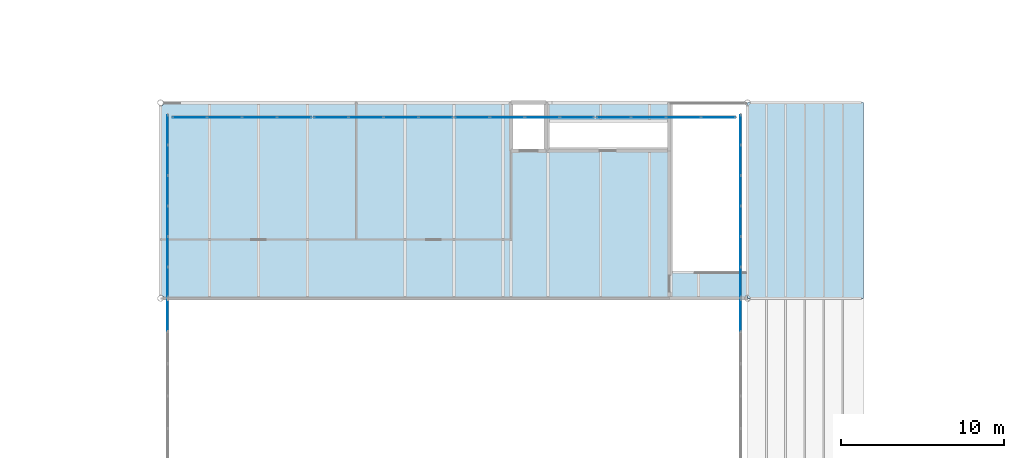
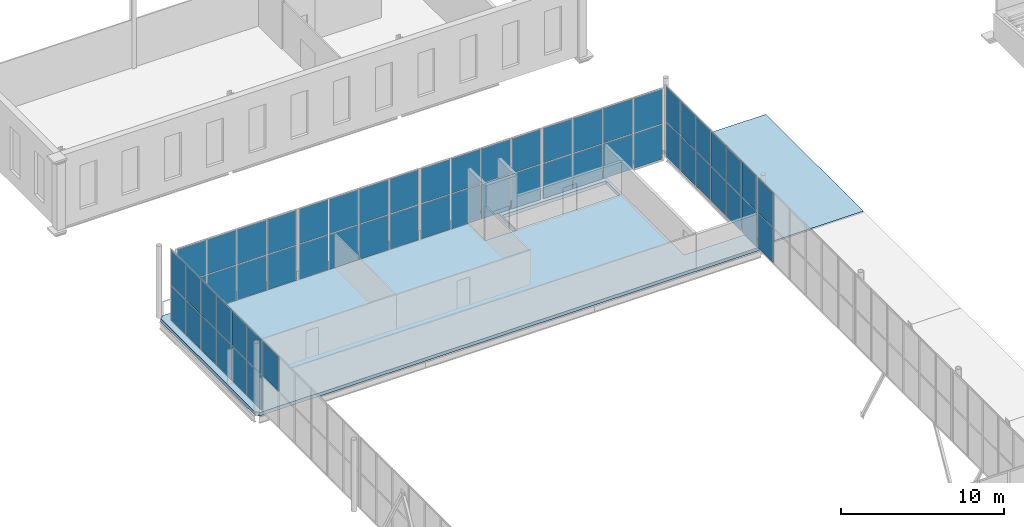
# One storey, part 100 of 170: 59 plates, 2 slabs, 8 elements without a shape of their own.
"""IFC4 building model written with IfcOpenShell, lengths in metres."""

from ifc_helpers import new_model, si_unit, direction, frame, origin, origin_2d, place, context, subcontext, project, spatial, polyline, rectangle, outline, extrude, material, layer, layer_set, type_object, element, aggregate, save


model = new_model("IFC4")

# Units and contexts
model_context = context("Model", 3, precision=1e-05, world=origin(), true_north=direction((0.0, 1.0)))
body_context = subcontext(model_context, "Body", "Model", "MODEL_VIEW")
ifc_project = project(units=[si_unit("LENGTHUNIT", "METRE"), si_unit("AREAUNIT", "SQUARE_METRE"), si_unit("VOLUMEUNIT", "CUBIC_METRE"), si_unit("PLANEANGLEUNIT", "RADIAN"), si_unit("MASSUNIT", "GRAM", prefix="KILO")], contexts=[model_context])

# Site, building, storey
site_placement = place(None, origin())
site = spatial("IfcSite", under=ifc_project, at=site_placement, CompositionType="ELEMENT")
building_placement = place(site_placement, origin())
building = spatial("IfcBuilding", under=site, at=building_placement, Name="Ravi Spectrum Wholesale Market", CompositionType="ELEMENT")
storey_placement = place(building_placement, frame((0.0, 0.0, 5.39990234375)))
storey = spatial("IfcBuildingStorey", under=building, at=storey_placement, Name="L01", CompositionType="ELEMENT", Elevation=5.39990234375)

# Slab
ifc_material_1 = material(Name="Concrete C35/45", Category="concrete")
ifc_layer_1 = layer(ifc_material_1, 0.25)
ifc_layer_set_1 = layer_set([ifc_layer_1], Name="Concrete C35/45")
slab_type_1 = type_object("IfcSlabType", Name="Composite deck slab 250", PredefinedType="FLOOR", material=ifc_layer_set_1)
slab_1_placement = place(storey_placement, frame((0.0, 0.0, -0.25)))
element("IfcSlab", 1, at=slab_1_placement, inside=storey, type_object=slab_type_1, Name="H3-SL-L01-001", PredefinedType="FLOOR", context=body_context, shape_type="SweptSolid", body=[
    extrude(outline(polyline([(162.187744140625, 174.0), (162.18701171875, 174.018310546875), (162.18408203125, 174.03662109375), (162.1796875, 174.054443359375), (162.173583984375, 174.07177734375), (162.16552734375, 174.088623046875), (162.15625, 174.104248046875), (162.145263671875, 174.119140625), (162.1328125, 174.1328125), (162.119140625, 174.145263671875), (162.104248046875, 174.15625), (162.088623046875, 174.16552734375), (162.07177734375, 174.173583984375), (162.054443359375, 174.1796875), (162.03662109375, 174.18408203125), (162.018310546875, 174.18701171875), (162.0, 174.187744140625), (162.0, 185.812255859375), (162.018310546875, 185.81298828125), (162.03662109375, 185.81591796875), (162.054443359375, 185.8203125), (162.07177734375, 185.826416015625), (162.088623046875, 185.83447265625), (162.104248046875, 185.84375), (162.119140625, 185.854736328125), (162.1328125, 185.8671875), (162.145263671875, 185.880859375), (162.15625, 185.895751953125), (162.16552734375, 185.911376953125), (162.173583984375, 185.92822265625), (162.1796875, 185.945556640625), (162.18408203125, 185.96337890625), (162.18701171875, 185.981689453125), (162.187744140625, 186.0), (197.812255859375, 186.0), (197.81298828125, 185.981689453125), (197.81591796875, 185.96337890625), (197.8203125, 185.945556640625), (197.826416015625, 185.92822265625), (197.83447265625, 185.911376953125), (197.84130859375, 185.89990234375), (193.300048828125, 185.89990234375), (193.300048828125, 175.60498046875), (197.89990234375, 175.60498046875), (197.89990234375, 185.84130859375), (197.911376953125, 185.83447265625), (197.92822265625, 185.826416015625), (197.945556640625, 185.8203125), (197.96337890625, 185.81591796875), (197.981689453125, 185.81298828125), (198.0, 185.812255859375), (198.0, 174.187744140625), (197.981689453125, 174.18701171875), (197.96337890625, 174.18408203125), (197.945556640625, 174.1796875), (197.92822265625, 174.173583984375), (197.911376953125, 174.16552734375), (197.895751953125, 174.15625), (197.880859375, 174.145263671875), (197.8671875, 174.1328125), (197.854736328125, 174.119140625), (197.84375, 174.104248046875), (197.83447265625, 174.088623046875), (197.826416015625, 174.07177734375), (197.8203125, 174.054443359375), (197.81591796875, 174.03662109375), (197.81298828125, 174.018310546875), (197.812255859375, 174.0), (162.187744140625, 174.0)]), holes=[polyline([(193.10009765625, 184.8701171875), (185.75, 184.8701171875), (185.75, 183.14990234375), (193.10009765625, 183.14990234375), (193.10009765625, 184.8701171875)]), polyline([(185.64990234375, 185.9990234375), (183.5, 185.9990234375), (183.5, 183.050048828125), (185.64990234375, 183.050048828125), (185.64990234375, 185.9990234375)])]), origin(), (0.0, 0.0, 1.0), 0.25),
])

# Curtain wall, plate
ifc_material_2 = material(Name="Aluminium 6063-T6", Category="aluminium")
ifc_layer_2 = layer(ifc_material_2, 0.14990234375)
ifc_layer_set_2 = layer_set([ifc_layer_2], Name="Aluminium 6063-T6")
curtain_wall_type = type_object("IfcCurtainWallType", Name="Curtain wall 150", PredefinedType="NOTDEFINED", material=ifc_layer_set_2)
curtain_wall_1_placement = place(storey_placement, origin())
curtain_wall_1 = element("IfcCurtainWall", 2, at=curtain_wall_1_placement, inside=storey, type_object=curtain_wall_type, Name="H3-CW-L01-003", PredefinedType="NOTDEFINED")
ifc_material_3 = material(Name="Toughened glass", Category="glass")
ifc_layer_3 = layer(ifc_material_3, 0.028076171875)
ifc_layer_set_3 = layer_set([ifc_layer_3], Name="Toughened glass")
plate_type = type_object("IfcPlateType", Name="Glazing panel 28", PredefinedType="CURTAIN_PANEL", material=ifc_layer_set_3)
plate_1_placement = place(storey_placement, frame((162.427734375, 172.95166015625, 2.72998046875), z_axis=(0.0, 0.0, 1.0), x_axis=(0.0, 1.0, 0.0)))
plate_1 = element("IfcPlate", 3, at=plate_1_placement, type_object=plate_type, Name="H3-CW-L01-003 panel 6.2", PredefinedType="CURTAIN_PANEL", context=body_context, shape_type="SweptSolid", body=[
    extrude(rectangle(XDim=1.896728515625, YDim=0.028076171875, at=origin_2d()), origin(), (0.0, 0.0, 1.0), 2.610107421875),
])
aggregate(curtain_wall_1, [plate_1])

# Curtain wall, plates
curtain_wall_2_placement = place(storey_placement, origin())
curtain_wall_2 = element("IfcCurtainWall", 4, at=curtain_wall_2_placement, inside=storey, type_object=curtain_wall_type, Name="H3-CW-L01-004", PredefinedType="NOTDEFINED")
plate_2_placement = place(storey_placement, frame((162.427734375, 174.992431640625, 0.06005859375), z_axis=(0.0, 0.0, 1.0), x_axis=(0.0, 1.0, 0.0)))
plate_2 = element("IfcPlate", 5, at=plate_2_placement, type_object=plate_type, Name="H3-CW-L01-004 panel 1.1", PredefinedType="CURTAIN_PANEL", context=body_context, shape_type="SweptSolid", body=[
    extrude(rectangle(XDim=1.784912109375, YDim=0.028076171875, at=origin_2d()), origin(), (0.0, 0.0, 1.0), 2.610107421875),
])
plate_3_placement = place(storey_placement, frame((162.427734375, 174.992431640625, 2.72998046875), z_axis=(0.0, 0.0, 1.0), x_axis=(0.0, 1.0, 0.0)))
plate_3 = element("IfcPlate", 6, at=plate_3_placement, type_object=plate_type, Name="H3-CW-L01-004 panel 1.2", PredefinedType="CURTAIN_PANEL", context=body_context, shape_type="SweptSolid", body=[
    extrude(rectangle(XDim=1.784912109375, YDim=0.028076171875, at=origin_2d()), origin(), (0.0, 0.0, 1.0), 2.610107421875),
])
plate_4_placement = place(storey_placement, frame((162.427734375, 176.8525390625, 0.06005859375), z_axis=(0.0, 0.0, 1.0), x_axis=(0.0, 1.0, 0.0)))
plate_4 = element("IfcPlate", 7, at=plate_4_placement, type_object=plate_type, Name="H3-CW-L01-004 panel 2.1", PredefinedType="CURTAIN_PANEL", context=body_context, shape_type="SweptSolid", body=[
    extrude(rectangle(XDim=1.81494140625, YDim=0.028076171875, at=origin_2d()), origin(), (0.0, 0.0, 1.0), 2.610107421875),
])
plate_5_placement = place(storey_placement, frame((162.427734375, 176.8525390625, 2.72998046875), z_axis=(0.0, 0.0, 1.0), x_axis=(0.0, 1.0, 0.0)))
plate_5 = element("IfcPlate", 8, at=plate_5_placement, type_object=plate_type, Name="H3-CW-L01-004 panel 2.2", PredefinedType="CURTAIN_PANEL", context=body_context, shape_type="SweptSolid", body=[
    extrude(rectangle(XDim=1.81494140625, YDim=0.028076171875, at=origin_2d()), origin(), (0.0, 0.0, 1.0), 2.610107421875),
])
plate_6_placement = place(storey_placement, frame((162.427734375, 178.7275390625, 0.06005859375), z_axis=(0.0, 0.0, 1.0), x_axis=(0.0, 1.0, 0.0)))
plate_6 = element("IfcPlate", 9, at=plate_6_placement, type_object=plate_type, Name="H3-CW-L01-004 panel 3.1", PredefinedType="CURTAIN_PANEL", context=body_context, shape_type="SweptSolid", body=[
    extrude(rectangle(XDim=1.81494140625, YDim=0.028076171875, at=origin_2d()), origin(), (0.0, 0.0, 1.0), 2.610107421875),
])
plate_7_placement = place(storey_placement, frame((162.427734375, 178.7275390625, 2.72998046875), z_axis=(0.0, 0.0, 1.0), x_axis=(0.0, 1.0, 0.0)))
plate_7 = element("IfcPlate", 10, at=plate_7_placement, type_object=plate_type, Name="H3-CW-L01-004 panel 3.2", PredefinedType="CURTAIN_PANEL", context=body_context, shape_type="SweptSolid", body=[
    extrude(rectangle(XDim=1.81494140625, YDim=0.028076171875, at=origin_2d()), origin(), (0.0, 0.0, 1.0), 2.610107421875),
])
plate_8_placement = place(storey_placement, frame((162.427734375, 180.6025390625, 0.06005859375), z_axis=(0.0, 0.0, 1.0), x_axis=(0.0, 1.0, 0.0)))
plate_8 = element("IfcPlate", 11, at=plate_8_placement, type_object=plate_type, Name="H3-CW-L01-004 panel 4.1", PredefinedType="CURTAIN_PANEL", context=body_context, shape_type="SweptSolid", body=[
    extrude(rectangle(XDim=1.81494140625, YDim=0.028076171875, at=origin_2d()), origin(), (0.0, 0.0, 1.0), 2.610107421875),
])
plate_9_placement = place(storey_placement, frame((162.427734375, 180.6025390625, 2.72998046875), z_axis=(0.0, 0.0, 1.0), x_axis=(0.0, 1.0, 0.0)))
plate_9 = element("IfcPlate", 12, at=plate_9_placement, type_object=plate_type, Name="H3-CW-L01-004 panel 4.2", PredefinedType="CURTAIN_PANEL", context=body_context, shape_type="SweptSolid", body=[
    extrude(rectangle(XDim=1.81494140625, YDim=0.028076171875, at=origin_2d()), origin(), (0.0, 0.0, 1.0), 2.610107421875),
])
plate_10_placement = place(storey_placement, frame((162.427734375, 182.4775390625, 0.06005859375), z_axis=(0.0, 0.0, 1.0), x_axis=(0.0, 1.0, 0.0)))
plate_10 = element("IfcPlate", 13, at=plate_10_placement, type_object=plate_type, Name="H3-CW-L01-004 panel 5.1", PredefinedType="CURTAIN_PANEL", context=body_context, shape_type="SweptSolid", body=[
    extrude(rectangle(XDim=1.81494140625, YDim=0.028076171875, at=origin_2d()), origin(), (0.0, 0.0, 1.0), 2.610107421875),
])
plate_11_placement = place(storey_placement, frame((162.427734375, 182.4775390625, 2.72998046875), z_axis=(0.0, 0.0, 1.0), x_axis=(0.0, 1.0, 0.0)))
plate_11 = element("IfcPlate", 14, at=plate_11_placement, type_object=plate_type, Name="H3-CW-L01-004 panel 5.2", PredefinedType="CURTAIN_PANEL", context=body_context, shape_type="SweptSolid", body=[
    extrude(rectangle(XDim=1.81494140625, YDim=0.028076171875, at=origin_2d()), origin(), (0.0, 0.0, 1.0), 2.610107421875),
])
plate_12_placement = place(storey_placement, frame((162.427734375, 184.33740234375, 0.06005859375), z_axis=(0.0, 0.0, 1.0), x_axis=(0.0, 1.0, 0.0)))
plate_12 = element("IfcPlate", 15, at=plate_12_placement, type_object=plate_type, Name="H3-CW-L01-004 panel 6.1", PredefinedType="CURTAIN_PANEL", context=body_context, shape_type="SweptSolid", body=[
    extrude(rectangle(XDim=1.784912109375, YDim=0.028076171875, at=origin_2d()), origin(), (0.0, 0.0, 1.0), 2.610107421875),
])
plate_13_placement = place(storey_placement, frame((162.427734375, 184.33740234375, 2.72998046875), z_axis=(0.0, 0.0, 1.0), x_axis=(0.0, 1.0, 0.0)))
plate_13 = element("IfcPlate", 16, at=plate_13_placement, type_object=plate_type, Name="H3-CW-L01-004 panel 6.2", PredefinedType="CURTAIN_PANEL", context=body_context, shape_type="SweptSolid", body=[
    extrude(rectangle(XDim=1.784912109375, YDim=0.028076171875, at=origin_2d()), origin(), (0.0, 0.0, 1.0), 2.610107421875),
])
aggregate(curtain_wall_2, [plate_2, plate_3, plate_4, plate_5, plate_6, plate_7, plate_8, plate_9, plate_10, plate_11, plate_12, plate_13])

curtain_wall_3_placement = place(storey_placement, origin())
curtain_wall_3 = element("IfcCurtainWall", 17, at=curtain_wall_3_placement, inside=storey, type_object=curtain_wall_type, Name="H3-CW-L01-007", PredefinedType="NOTDEFINED")
plate_14_placement = place(storey_placement, frame((197.572265625, 172.95166015625, 0.06005859375), z_axis=(0.0, 0.0, 1.0), x_axis=(0.0, 1.0, 0.0)))
plate_14 = element("IfcPlate", 18, at=plate_14_placement, type_object=plate_type, Name="H3-CW-L01-007 panel 6.1", PredefinedType="CURTAIN_PANEL", context=body_context, shape_type="SweptSolid", body=[
    extrude(rectangle(XDim=1.896728515625, YDim=0.028076171875, at=origin_2d()), origin(), (0.0, 0.0, 1.0), 2.610107421875),
])
plate_15_placement = place(storey_placement, frame((197.572265625, 172.95166015625, 2.72998046875), z_axis=(0.0, 0.0, 1.0), x_axis=(0.0, 1.0, 0.0)))
plate_15 = element("IfcPlate", 19, at=plate_15_placement, type_object=plate_type, Name="H3-CW-L01-007 panel 6.2", PredefinedType="CURTAIN_PANEL", context=body_context, shape_type="SweptSolid", body=[
    extrude(rectangle(XDim=1.896728515625, YDim=0.028076171875, at=origin_2d()), origin(), (0.0, 0.0, 1.0), 2.610107421875),
])
aggregate(curtain_wall_3, [plate_14, plate_15])

curtain_wall_4_placement = place(storey_placement, origin())
curtain_wall_4 = element("IfcCurtainWall", 20, at=curtain_wall_4_placement, inside=storey, type_object=curtain_wall_type, Name="H3-CW-L01-008", PredefinedType="NOTDEFINED")
plate_16_placement = place(storey_placement, frame((197.572265625, 174.992431640625, 0.06005859375), z_axis=(0.0, 0.0, 1.0), x_axis=(0.0, 1.0, 0.0)))
plate_16 = element("IfcPlate", 21, at=plate_16_placement, type_object=plate_type, Name="H3-CW-L01-008 panel 1.1", PredefinedType="CURTAIN_PANEL", context=body_context, shape_type="SweptSolid", body=[
    extrude(rectangle(XDim=1.784912109375, YDim=0.028076171875, at=origin_2d()), origin(), (0.0, 0.0, 1.0), 2.610107421875),
])
plate_17_placement = place(storey_placement, frame((197.572265625, 174.992431640625, 2.72998046875), z_axis=(0.0, 0.0, 1.0), x_axis=(0.0, 1.0, 0.0)))
plate_17 = element("IfcPlate", 22, at=plate_17_placement, type_object=plate_type, Name="H3-CW-L01-008 panel 1.2", PredefinedType="CURTAIN_PANEL", context=body_context, shape_type="SweptSolid", body=[
    extrude(rectangle(XDim=1.784912109375, YDim=0.028076171875, at=origin_2d()), origin(), (0.0, 0.0, 1.0), 2.610107421875),
])
plate_18_placement = place(storey_placement, frame((197.572265625, 176.8525390625, 0.06005859375), z_axis=(0.0, 0.0, 1.0), x_axis=(0.0, 1.0, 0.0)))
plate_18 = element("IfcPlate", 23, at=plate_18_placement, type_object=plate_type, Name="H3-CW-L01-008 panel 2.1", PredefinedType="CURTAIN_PANEL", context=body_context, shape_type="SweptSolid", body=[
    extrude(rectangle(XDim=1.81494140625, YDim=0.028076171875, at=origin_2d()), origin(), (0.0, 0.0, 1.0), 2.610107421875),
])
plate_19_placement = place(storey_placement, frame((197.572265625, 176.8525390625, 2.72998046875), z_axis=(0.0, 0.0, 1.0), x_axis=(0.0, 1.0, 0.0)))
plate_19 = element("IfcPlate", 24, at=plate_19_placement, type_object=plate_type, Name="H3-CW-L01-008 panel 2.2", PredefinedType="CURTAIN_PANEL", context=body_context, shape_type="SweptSolid", body=[
    extrude(rectangle(XDim=1.81494140625, YDim=0.028076171875, at=origin_2d()), origin(), (0.0, 0.0, 1.0), 2.610107421875),
])
plate_20_placement = place(storey_placement, frame((197.572265625, 178.7275390625, 0.06005859375), z_axis=(0.0, 0.0, 1.0), x_axis=(0.0, 1.0, 0.0)))
plate_20 = element("IfcPlate", 25, at=plate_20_placement, type_object=plate_type, Name="H3-CW-L01-008 panel 3.1", PredefinedType="CURTAIN_PANEL", context=body_context, shape_type="SweptSolid", body=[
    extrude(rectangle(XDim=1.81494140625, YDim=0.028076171875, at=origin_2d()), origin(), (0.0, 0.0, 1.0), 2.610107421875),
])
plate_21_placement = place(storey_placement, frame((197.572265625, 178.7275390625, 2.72998046875), z_axis=(0.0, 0.0, 1.0), x_axis=(0.0, 1.0, 0.0)))
plate_21 = element("IfcPlate", 26, at=plate_21_placement, type_object=plate_type, Name="H3-CW-L01-008 panel 3.2", PredefinedType="CURTAIN_PANEL", context=body_context, shape_type="SweptSolid", body=[
    extrude(rectangle(XDim=1.81494140625, YDim=0.028076171875, at=origin_2d()), origin(), (0.0, 0.0, 1.0), 2.610107421875),
])
plate_22_placement = place(storey_placement, frame((197.572265625, 180.6025390625, 0.06005859375), z_axis=(0.0, 0.0, 1.0), x_axis=(0.0, 1.0, 0.0)))
plate_22 = element("IfcPlate", 27, at=plate_22_placement, type_object=plate_type, Name="H3-CW-L01-008 panel 4.1", PredefinedType="CURTAIN_PANEL", context=body_context, shape_type="SweptSolid", body=[
    extrude(rectangle(XDim=1.81494140625, YDim=0.028076171875, at=origin_2d()), origin(), (0.0, 0.0, 1.0), 2.610107421875),
])
plate_23_placement = place(storey_placement, frame((197.572265625, 180.6025390625, 2.72998046875), z_axis=(0.0, 0.0, 1.0), x_axis=(0.0, 1.0, 0.0)))
plate_23 = element("IfcPlate", 28, at=plate_23_placement, type_object=plate_type, Name="H3-CW-L01-008 panel 4.2", PredefinedType="CURTAIN_PANEL", context=body_context, shape_type="SweptSolid", body=[
    extrude(rectangle(XDim=1.81494140625, YDim=0.028076171875, at=origin_2d()), origin(), (0.0, 0.0, 1.0), 2.610107421875),
])
plate_24_placement = place(storey_placement, frame((197.572265625, 182.4775390625, 0.06005859375), z_axis=(0.0, 0.0, 1.0), x_axis=(0.0, 1.0, 0.0)))
plate_24 = element("IfcPlate", 29, at=plate_24_placement, type_object=plate_type, Name="H3-CW-L01-008 panel 5.1", PredefinedType="CURTAIN_PANEL", context=body_context, shape_type="SweptSolid", body=[
    extrude(rectangle(XDim=1.81494140625, YDim=0.028076171875, at=origin_2d()), origin(), (0.0, 0.0, 1.0), 2.610107421875),
])
plate_25_placement = place(storey_placement, frame((197.572265625, 182.4775390625, 2.72998046875), z_axis=(0.0, 0.0, 1.0), x_axis=(0.0, 1.0, 0.0)))
plate_25 = element("IfcPlate", 30, at=plate_25_placement, type_object=plate_type, Name="H3-CW-L01-008 panel 5.2", PredefinedType="CURTAIN_PANEL", context=body_context, shape_type="SweptSolid", body=[
    extrude(rectangle(XDim=1.81494140625, YDim=0.028076171875, at=origin_2d()), origin(), (0.0, 0.0, 1.0), 2.610107421875),
])
plate_26_placement = place(storey_placement, frame((197.572265625, 184.33740234375, 0.06005859375), z_axis=(0.0, 0.0, 1.0), x_axis=(0.0, 1.0, 0.0)))
plate_26 = element("IfcPlate", 31, at=plate_26_placement, type_object=plate_type, Name="H3-CW-L01-008 panel 6.1", PredefinedType="CURTAIN_PANEL", context=body_context, shape_type="SweptSolid", body=[
    extrude(rectangle(XDim=1.784912109375, YDim=0.028076171875, at=origin_2d()), origin(), (0.0, 0.0, 1.0), 2.610107421875),
])
plate_27_placement = place(storey_placement, frame((197.572265625, 184.33740234375, 2.72998046875), z_axis=(0.0, 0.0, 1.0), x_axis=(0.0, 1.0, 0.0)))
plate_27 = element("IfcPlate", 32, at=plate_27_placement, type_object=plate_type, Name="H3-CW-L01-008 panel 6.2", PredefinedType="CURTAIN_PANEL", context=body_context, shape_type="SweptSolid", body=[
    extrude(rectangle(XDim=1.784912109375, YDim=0.028076171875, at=origin_2d()), origin(), (0.0, 0.0, 1.0), 2.610107421875),
])
aggregate(curtain_wall_4, [plate_16, plate_17, plate_18, plate_19, plate_20, plate_21, plate_22, plate_23, plate_24, plate_25, plate_26, plate_27])

curtain_wall_5_placement = place(storey_placement, origin())
curtain_wall_5 = element("IfcCurtainWall", 33, at=curtain_wall_5_placement, inside=storey, type_object=curtain_wall_type, Name="H3-CW-L01-013", PredefinedType="NOTDEFINED")
plate_28_placement = place(storey_placement, frame((163.78662109375, 185.10009765625, 0.06005859375), z_axis=(0.0, 0.0, 1.0), x_axis=(1.0, 0.0, 0.0)))
plate_28 = element("IfcPlate", 34, at=plate_28_placement, type_object=plate_type, Name="H3-CW-L01-013 panel 1.1", PredefinedType="CURTAIN_PANEL", context=body_context, shape_type="SweptSolid", body=[
    extrude(rectangle(XDim=2.057861328125, YDim=0.028076171875, at=origin_2d()), origin(), (0.0, 0.0, 1.0), 2.610107421875),
])
plate_29_placement = place(storey_placement, frame((163.78662109375, 185.10009765625, 2.72998046875), z_axis=(0.0, 0.0, 1.0), x_axis=(1.0, 0.0, 0.0)))
plate_29 = element("IfcPlate", 35, at=plate_29_placement, type_object=plate_type, Name="H3-CW-L01-013 panel 1.2", PredefinedType="CURTAIN_PANEL", context=body_context, shape_type="SweptSolid", body=[
    extrude(rectangle(XDim=2.057861328125, YDim=0.028076171875, at=origin_2d()), origin(), (0.0, 0.0, 1.0), 2.610107421875),
])
plate_30_placement = place(storey_placement, frame((165.91943359375, 185.10009765625, 0.06005859375), z_axis=(0.0, 0.0, 1.0), x_axis=(1.0, 0.0, 0.0)))
plate_30 = element("IfcPlate", 36, at=plate_30_placement, type_object=plate_type, Name="H3-CW-L01-013 panel 2.1", PredefinedType="CURTAIN_PANEL", context=body_context, shape_type="SweptSolid", body=[
    extrude(rectangle(XDim=2.087890625, YDim=0.028076171875, at=origin_2d()), origin(), (0.0, 0.0, 1.0), 2.610107421875),
])
plate_31_placement = place(storey_placement, frame((165.91943359375, 185.10009765625, 2.72998046875), z_axis=(0.0, 0.0, 1.0), x_axis=(1.0, 0.0, 0.0)))
plate_31 = element("IfcPlate", 37, at=plate_31_placement, type_object=plate_type, Name="H3-CW-L01-013 panel 2.2", PredefinedType="CURTAIN_PANEL", context=body_context, shape_type="SweptSolid", body=[
    extrude(rectangle(XDim=2.087890625, YDim=0.028076171875, at=origin_2d()), origin(), (0.0, 0.0, 1.0), 2.610107421875),
])
plate_32_placement = place(storey_placement, frame((168.067138671875, 185.10009765625, 0.06005859375), z_axis=(0.0, 0.0, 1.0), x_axis=(1.0, 0.0, 0.0)))
plate_32 = element("IfcPlate", 38, at=plate_32_placement, type_object=plate_type, Name="H3-CW-L01-013 panel 3.1", PredefinedType="CURTAIN_PANEL", context=body_context, shape_type="SweptSolid", body=[
    extrude(rectangle(XDim=2.087890625, YDim=0.028076171875, at=origin_2d()), origin(), (0.0, 0.0, 1.0), 2.610107421875),
])
plate_33_placement = place(storey_placement, frame((168.067138671875, 185.10009765625, 2.72998046875), z_axis=(0.0, 0.0, 1.0), x_axis=(1.0, 0.0, 0.0)))
plate_33 = element("IfcPlate", 39, at=plate_33_placement, type_object=plate_type, Name="H3-CW-L01-013 panel 3.2", PredefinedType="CURTAIN_PANEL", context=body_context, shape_type="SweptSolid", body=[
    extrude(rectangle(XDim=2.087890625, YDim=0.028076171875, at=origin_2d()), origin(), (0.0, 0.0, 1.0), 2.610107421875),
])
plate_34_placement = place(storey_placement, frame((170.199951171875, 185.10009765625, 0.06005859375), z_axis=(0.0, 0.0, 1.0), x_axis=(1.0, 0.0, 0.0)))
plate_34 = element("IfcPlate", 40, at=plate_34_placement, type_object=plate_type, Name="H3-CW-L01-013 panel 4.1", PredefinedType="CURTAIN_PANEL", context=body_context, shape_type="SweptSolid", body=[
    extrude(rectangle(XDim=2.057861328125, YDim=0.028076171875, at=origin_2d()), origin(), (0.0, 0.0, 1.0), 2.610107421875),
])
plate_35_placement = place(storey_placement, frame((170.199951171875, 185.10009765625, 2.72998046875), z_axis=(0.0, 0.0, 1.0), x_axis=(1.0, 0.0, 0.0)))
plate_35 = element("IfcPlate", 41, at=plate_35_placement, type_object=plate_type, Name="H3-CW-L01-013 panel 4.2", PredefinedType="CURTAIN_PANEL", context=body_context, shape_type="SweptSolid", body=[
    extrude(rectangle(XDim=2.057861328125, YDim=0.028076171875, at=origin_2d()), origin(), (0.0, 0.0, 1.0), 2.610107421875),
])
aggregate(curtain_wall_5, [plate_28, plate_29, plate_30, plate_31, plate_32, plate_33, plate_34, plate_35])

curtain_wall_6_placement = place(storey_placement, origin())
curtain_wall_6 = element("IfcCurtainWall", 42, at=curtain_wall_6_placement, inside=storey, type_object=curtain_wall_type, Name="H3-CW-L01-014", PredefinedType="NOTDEFINED")
plate_36_placement = place(storey_placement, frame((172.457763671875, 185.10009765625, 0.06005859375), z_axis=(0.0, 0.0, 1.0), x_axis=(1.0, 0.0, 0.0)))
plate_36 = element("IfcPlate", 43, at=plate_36_placement, type_object=plate_type, Name="H3-CW-L01-014 panel 1.1", PredefinedType="CURTAIN_PANEL", context=body_context, shape_type="SweptSolid", body=[
    extrude(rectangle(XDim=2.057861328125, YDim=0.028076171875, at=origin_2d()), origin(), (0.0, 0.0, 1.0), 2.610107421875),
])
plate_37_placement = place(storey_placement, frame((172.457763671875, 185.10009765625, 2.72998046875), z_axis=(0.0, 0.0, 1.0), x_axis=(1.0, 0.0, 0.0)))
plate_37 = element("IfcPlate", 44, at=plate_37_placement, type_object=plate_type, Name="H3-CW-L01-014 panel 1.2", PredefinedType="CURTAIN_PANEL", context=body_context, shape_type="SweptSolid", body=[
    extrude(rectangle(XDim=2.057861328125, YDim=0.028076171875, at=origin_2d()), origin(), (0.0, 0.0, 1.0), 2.610107421875),
])
plate_38_placement = place(storey_placement, frame((174.590576171875, 185.10009765625, 0.06005859375), z_axis=(0.0, 0.0, 1.0), x_axis=(1.0, 0.0, 0.0)))
plate_38 = element("IfcPlate", 45, at=plate_38_placement, type_object=plate_type, Name="H3-CW-L01-014 panel 2.1", PredefinedType="CURTAIN_PANEL", context=body_context, shape_type="SweptSolid", body=[
    extrude(rectangle(XDim=2.087890625, YDim=0.028076171875, at=origin_2d()), origin(), (0.0, 0.0, 1.0), 2.610107421875),
])
plate_39_placement = place(storey_placement, frame((174.590576171875, 185.10009765625, 2.72998046875), z_axis=(0.0, 0.0, 1.0), x_axis=(1.0, 0.0, 0.0)))
plate_39 = element("IfcPlate", 46, at=plate_39_placement, type_object=plate_type, Name="H3-CW-L01-014 panel 2.2", PredefinedType="CURTAIN_PANEL", context=body_context, shape_type="SweptSolid", body=[
    extrude(rectangle(XDim=2.087890625, YDim=0.028076171875, at=origin_2d()), origin(), (0.0, 0.0, 1.0), 2.610107421875),
])
plate_40_placement = place(storey_placement, frame((176.73828125, 185.10009765625, 0.06005859375), z_axis=(0.0, 0.0, 1.0), x_axis=(1.0, 0.0, 0.0)))
plate_40 = element("IfcPlate", 47, at=plate_40_placement, type_object=plate_type, Name="H3-CW-L01-014 panel 3.1", PredefinedType="CURTAIN_PANEL", context=body_context, shape_type="SweptSolid", body=[
    extrude(rectangle(XDim=2.087890625, YDim=0.028076171875, at=origin_2d()), origin(), (0.0, 0.0, 1.0), 2.610107421875),
])
plate_41_placement = place(storey_placement, frame((176.73828125, 185.10009765625, 2.72998046875), z_axis=(0.0, 0.0, 1.0), x_axis=(1.0, 0.0, 0.0)))
plate_41 = element("IfcPlate", 48, at=plate_41_placement, type_object=plate_type, Name="H3-CW-L01-014 panel 3.2", PredefinedType="CURTAIN_PANEL", context=body_context, shape_type="SweptSolid", body=[
    extrude(rectangle(XDim=2.087890625, YDim=0.028076171875, at=origin_2d()), origin(), (0.0, 0.0, 1.0), 2.610107421875),
])
plate_42_placement = place(storey_placement, frame((178.87109375, 185.10009765625, 0.06005859375), z_axis=(0.0, 0.0, 1.0), x_axis=(1.0, 0.0, 0.0)))
plate_42 = element("IfcPlate", 49, at=plate_42_placement, type_object=plate_type, Name="H3-CW-L01-014 panel 4.1", PredefinedType="CURTAIN_PANEL", context=body_context, shape_type="SweptSolid", body=[
    extrude(rectangle(XDim=2.057861328125, YDim=0.028076171875, at=origin_2d()), origin(), (0.0, 0.0, 1.0), 2.610107421875),
])
plate_43_placement = place(storey_placement, frame((178.87109375, 185.10009765625, 2.72998046875), z_axis=(0.0, 0.0, 1.0), x_axis=(1.0, 0.0, 0.0)))
plate_43 = element("IfcPlate", 50, at=plate_43_placement, type_object=plate_type, Name="H3-CW-L01-014 panel 4.2", PredefinedType="CURTAIN_PANEL", context=body_context, shape_type="SweptSolid", body=[
    extrude(rectangle(XDim=2.057861328125, YDim=0.028076171875, at=origin_2d()), origin(), (0.0, 0.0, 1.0), 2.610107421875),
])
aggregate(curtain_wall_6, [plate_36, plate_37, plate_38, plate_39, plate_40, plate_41, plate_42, plate_43])

curtain_wall_7_placement = place(storey_placement, origin())
curtain_wall_7 = element("IfcCurtainWall", 51, at=curtain_wall_7_placement, inside=storey, type_object=curtain_wall_type, Name="H3-CW-L01-015", PredefinedType="NOTDEFINED")
plate_44_placement = place(storey_placement, frame((181.12890625, 185.10009765625, 0.06005859375), z_axis=(0.0, 0.0, 1.0), x_axis=(1.0, 0.0, 0.0)))
plate_44 = element("IfcPlate", 52, at=plate_44_placement, type_object=plate_type, Name="H3-CW-L01-015 panel 1.1", PredefinedType="CURTAIN_PANEL", context=body_context, shape_type="SweptSolid", body=[
    extrude(rectangle(XDim=2.057861328125, YDim=0.028076171875, at=origin_2d()), origin(), (0.0, 0.0, 1.0), 2.610107421875),
])
plate_45_placement = place(storey_placement, frame((181.12890625, 185.10009765625, 2.72998046875), z_axis=(0.0, 0.0, 1.0), x_axis=(1.0, 0.0, 0.0)))
plate_45 = element("IfcPlate", 53, at=plate_45_placement, type_object=plate_type, Name="H3-CW-L01-015 panel 1.2", PredefinedType="CURTAIN_PANEL", context=body_context, shape_type="SweptSolid", body=[
    extrude(rectangle(XDim=2.057861328125, YDim=0.028076171875, at=origin_2d()), origin(), (0.0, 0.0, 1.0), 2.610107421875),
])
plate_46_placement = place(storey_placement, frame((183.26171875, 185.10009765625, 0.06005859375), z_axis=(0.0, 0.0, 1.0), x_axis=(1.0, 0.0, 0.0)))
plate_46 = element("IfcPlate", 54, at=plate_46_placement, type_object=plate_type, Name="H3-CW-L01-015 panel 2.1", PredefinedType="CURTAIN_PANEL", context=body_context, shape_type="SweptSolid", body=[
    extrude(rectangle(XDim=2.087890625, YDim=0.028076171875, at=origin_2d()), origin(), (0.0, 0.0, 1.0), 2.610107421875),
])
plate_47_placement = place(storey_placement, frame((183.26171875, 185.10009765625, 2.72998046875), z_axis=(0.0, 0.0, 1.0), x_axis=(1.0, 0.0, 0.0)))
plate_47 = element("IfcPlate", 55, at=plate_47_placement, type_object=plate_type, Name="H3-CW-L01-015 panel 2.2", PredefinedType="CURTAIN_PANEL", context=body_context, shape_type="SweptSolid", body=[
    extrude(rectangle(XDim=2.087890625, YDim=0.028076171875, at=origin_2d()), origin(), (0.0, 0.0, 1.0), 2.610107421875),
])
plate_48_placement = place(storey_placement, frame((185.409423828125, 185.10009765625, 0.06005859375), z_axis=(0.0, 0.0, 1.0), x_axis=(1.0, 0.0, 0.0)))
plate_48 = element("IfcPlate", 56, at=plate_48_placement, type_object=plate_type, Name="H3-CW-L01-015 panel 3.1", PredefinedType="CURTAIN_PANEL", context=body_context, shape_type="SweptSolid", body=[
    extrude(rectangle(XDim=2.087890625, YDim=0.028076171875, at=origin_2d()), origin(), (0.0, 0.0, 1.0), 2.610107421875),
])
plate_49_placement = place(storey_placement, frame((185.409423828125, 185.10009765625, 2.72998046875), z_axis=(0.0, 0.0, 1.0), x_axis=(1.0, 0.0, 0.0)))
plate_49 = element("IfcPlate", 57, at=plate_49_placement, type_object=plate_type, Name="H3-CW-L01-015 panel 3.2", PredefinedType="CURTAIN_PANEL", context=body_context, shape_type="SweptSolid", body=[
    extrude(rectangle(XDim=2.087890625, YDim=0.028076171875, at=origin_2d()), origin(), (0.0, 0.0, 1.0), 2.610107421875),
])
plate_50_placement = place(storey_placement, frame((187.542236328125, 185.10009765625, 0.06005859375), z_axis=(0.0, 0.0, 1.0), x_axis=(1.0, 0.0, 0.0)))
plate_50 = element("IfcPlate", 58, at=plate_50_placement, type_object=plate_type, Name="H3-CW-L01-015 panel 4.1", PredefinedType="CURTAIN_PANEL", context=body_context, shape_type="SweptSolid", body=[
    extrude(rectangle(XDim=2.057861328125, YDim=0.028076171875, at=origin_2d()), origin(), (0.0, 0.0, 1.0), 2.610107421875),
])
plate_51_placement = place(storey_placement, frame((187.542236328125, 185.10009765625, 2.72998046875), z_axis=(0.0, 0.0, 1.0), x_axis=(1.0, 0.0, 0.0)))
plate_51 = element("IfcPlate", 59, at=plate_51_placement, type_object=plate_type, Name="H3-CW-L01-015 panel 4.2", PredefinedType="CURTAIN_PANEL", context=body_context, shape_type="SweptSolid", body=[
    extrude(rectangle(XDim=2.057861328125, YDim=0.028076171875, at=origin_2d()), origin(), (0.0, 0.0, 1.0), 2.610107421875),
])
aggregate(curtain_wall_7, [plate_44, plate_45, plate_46, plate_47, plate_48, plate_49, plate_50, plate_51])

curtain_wall_8_placement = place(storey_placement, origin())
curtain_wall_8 = element("IfcCurtainWall", 60, at=curtain_wall_8_placement, inside=storey, type_object=curtain_wall_type, Name="H3-CW-L01-016", PredefinedType="NOTDEFINED")
plate_52_placement = place(storey_placement, frame((189.800048828125, 185.10009765625, 0.06005859375), z_axis=(0.0, 0.0, 1.0), x_axis=(1.0, 0.0, 0.0)))
plate_52 = element("IfcPlate", 61, at=plate_52_placement, type_object=plate_type, Name="H3-CW-L01-016 panel 1.1", PredefinedType="CURTAIN_PANEL", context=body_context, shape_type="SweptSolid", body=[
    extrude(rectangle(XDim=2.057861328125, YDim=0.028076171875, at=origin_2d()), origin(), (0.0, 0.0, 1.0), 2.610107421875),
])
plate_53_placement = place(storey_placement, frame((189.800048828125, 185.10009765625, 2.72998046875), z_axis=(0.0, 0.0, 1.0), x_axis=(1.0, 0.0, 0.0)))
plate_53 = element("IfcPlate", 62, at=plate_53_placement, type_object=plate_type, Name="H3-CW-L01-016 panel 1.2", PredefinedType="CURTAIN_PANEL", context=body_context, shape_type="SweptSolid", body=[
    extrude(rectangle(XDim=2.057861328125, YDim=0.028076171875, at=origin_2d()), origin(), (0.0, 0.0, 1.0), 2.610107421875),
])
plate_54_placement = place(storey_placement, frame((191.932861328125, 185.10009765625, 0.06005859375), z_axis=(0.0, 0.0, 1.0), x_axis=(1.0, 0.0, 0.0)))
plate_54 = element("IfcPlate", 63, at=plate_54_placement, type_object=plate_type, Name="H3-CW-L01-016 panel 2.1", PredefinedType="CURTAIN_PANEL", context=body_context, shape_type="SweptSolid", body=[
    extrude(rectangle(XDim=2.087890625, YDim=0.028076171875, at=origin_2d()), origin(), (0.0, 0.0, 1.0), 2.610107421875),
])
plate_55_placement = place(storey_placement, frame((191.932861328125, 185.10009765625, 2.72998046875), z_axis=(0.0, 0.0, 1.0), x_axis=(1.0, 0.0, 0.0)))
plate_55 = element("IfcPlate", 64, at=plate_55_placement, type_object=plate_type, Name="H3-CW-L01-016 panel 2.2", PredefinedType="CURTAIN_PANEL", context=body_context, shape_type="SweptSolid", body=[
    extrude(rectangle(XDim=2.087890625, YDim=0.028076171875, at=origin_2d()), origin(), (0.0, 0.0, 1.0), 2.610107421875),
])
plate_56_placement = place(storey_placement, frame((194.08056640625, 185.10009765625, 0.06005859375), z_axis=(0.0, 0.0, 1.0), x_axis=(1.0, 0.0, 0.0)))
plate_56 = element("IfcPlate", 65, at=plate_56_placement, type_object=plate_type, Name="H3-CW-L01-016 panel 3.1", PredefinedType="CURTAIN_PANEL", context=body_context, shape_type="SweptSolid", body=[
    extrude(rectangle(XDim=2.087890625, YDim=0.028076171875, at=origin_2d()), origin(), (0.0, 0.0, 1.0), 2.610107421875),
])
plate_57_placement = place(storey_placement, frame((194.08056640625, 185.10009765625, 2.72998046875), z_axis=(0.0, 0.0, 1.0), x_axis=(1.0, 0.0, 0.0)))
plate_57 = element("IfcPlate", 66, at=plate_57_placement, type_object=plate_type, Name="H3-CW-L01-016 panel 3.2", PredefinedType="CURTAIN_PANEL", context=body_context, shape_type="SweptSolid", body=[
    extrude(rectangle(XDim=2.087890625, YDim=0.028076171875, at=origin_2d()), origin(), (0.0, 0.0, 1.0), 2.610107421875),
])
plate_58_placement = place(storey_placement, frame((196.21337890625, 185.10009765625, 0.06005859375), z_axis=(0.0, 0.0, 1.0), x_axis=(1.0, 0.0, 0.0)))
plate_58 = element("IfcPlate", 67, at=plate_58_placement, type_object=plate_type, Name="H3-CW-L01-016 panel 4.1", PredefinedType="CURTAIN_PANEL", context=body_context, shape_type="SweptSolid", body=[
    extrude(rectangle(XDim=2.057861328125, YDim=0.028076171875, at=origin_2d()), origin(), (0.0, 0.0, 1.0), 2.610107421875),
])
plate_59_placement = place(storey_placement, frame((196.21337890625, 185.10009765625, 2.72998046875), z_axis=(0.0, 0.0, 1.0), x_axis=(1.0, 0.0, 0.0)))
plate_59 = element("IfcPlate", 68, at=plate_59_placement, type_object=plate_type, Name="H3-CW-L01-016 panel 4.2", PredefinedType="CURTAIN_PANEL", context=body_context, shape_type="SweptSolid", body=[
    extrude(rectangle(XDim=2.057861328125, YDim=0.028076171875, at=origin_2d()), origin(), (0.0, 0.0, 1.0), 2.610107421875),
])
aggregate(curtain_wall_8, [plate_52, plate_53, plate_54, plate_55, plate_56, plate_57, plate_58, plate_59])

# Slab
ifc_material_4 = material(Name="Steel S355", Category="steel")
ifc_layer_4 = layer(ifc_material_4, 0.1201171875)
ifc_layer_set_4 = layer_set([ifc_layer_4], Name="Steel S355")
slab_type_2 = type_object("IfcSlabType", Name="Roof deck 120", PredefinedType="ROOF", material=ifc_layer_set_4)
slab_2_placement = place(storey_placement, origin())
element("IfcSlab", 69, at=slab_2_placement, inside=storey, type_object=slab_type_2, Name="H3-SL-L01-005", PredefinedType="ROOF", context=body_context, shape_type="SweptSolid", body=[
    extrude(outline(polyline([(198.0, 174.0), (205.109619140625, 174.0), (205.109619140625, 186.0), (198.0, 186.0), (198.0, 174.0)])), origin(), (0.0, 0.0, 1.0), 0.1201171875),
])

save(model, "model.ifc")
